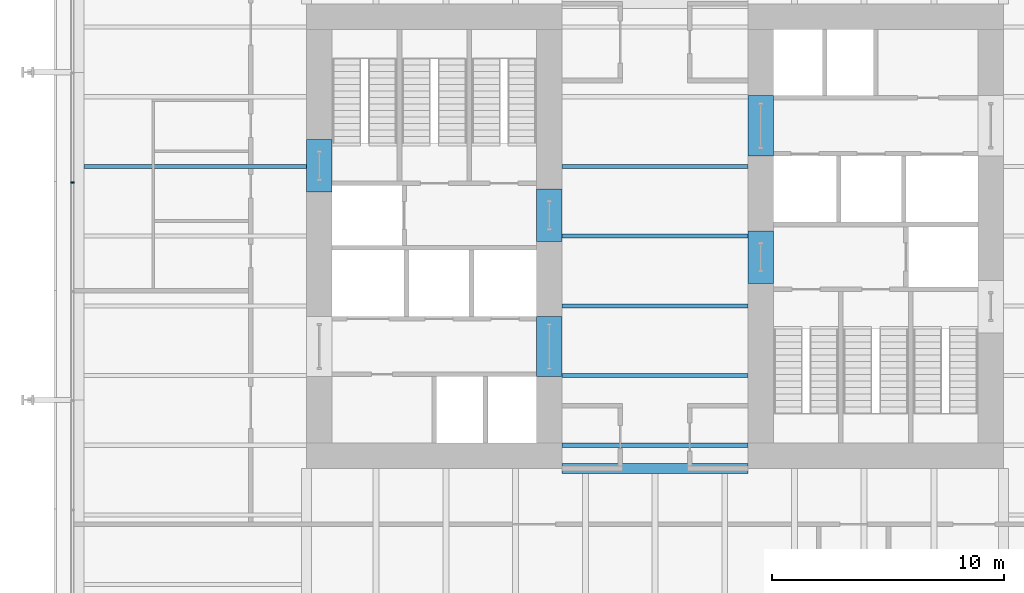
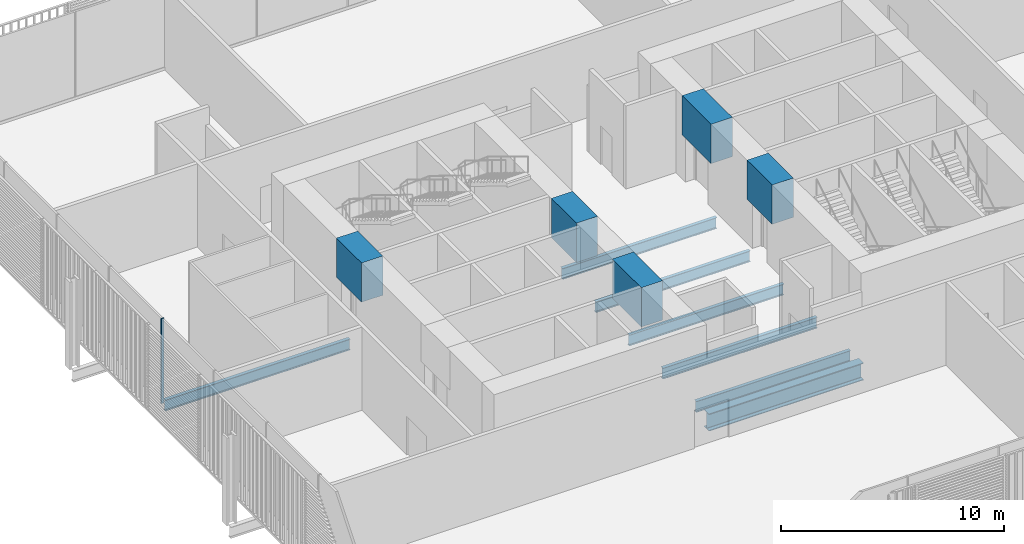
# One storey, part 7 of 22: 12 beams, 1 member, 1 element without a shape of its own.
"""IFC4 building model written with IfcOpenShell, lengths in metres."""

from ifc_helpers import new_model, si_unit, direction, frame, origin, origin_2d, place, context, subcontext, project, spatial, rectangle, i_section, extrude, material, layer, layer_set, material_profile, profile_set, type_object, element, aggregate, save


model = new_model("IFC4")

# Units and contexts
model_context = context("Model", 3, precision=1e-05, world=origin(), true_north=direction((0.0, 1.0)))
body_context = subcontext(model_context, "Body", "Model", "MODEL_VIEW")
ifc_project = project(units=[si_unit("LENGTHUNIT", "METRE"), si_unit("AREAUNIT", "SQUARE_METRE"), si_unit("VOLUMEUNIT", "CUBIC_METRE"), si_unit("PLANEANGLEUNIT", "RADIAN"), si_unit("MASSUNIT", "GRAM", prefix="KILO")], contexts=[model_context])

# Site, building, storey
site_placement = place(None, origin())
site = spatial("IfcSite", under=ifc_project, at=site_placement, CompositionType="ELEMENT")
building_placement = place(site_placement, origin())
building = spatial("IfcBuilding", under=site, at=building_placement, Name="Millrace Tower", CompositionType="ELEMENT")
storey_placement = place(building_placement, frame((0.0, 0.0, 59.300048828125)))
storey = spatial("IfcBuildingStorey", under=building, at=storey_placement, Name="L13", CompositionType="ELEMENT", Elevation=59.300048828125)

# Curtain wall, member
ifc_material_1 = material(Name="Aluminium and glass", Category="aluminium")
ifc_layer = layer(ifc_material_1, 0.14990234375)
ifc_layer_set = layer_set([ifc_layer], Name="Aluminium and glass")
curtain_wall_type = type_object("IfcCurtainWallType", Name="CW-2 data hall insulated curtain wall", PredefinedType="NOTDEFINED", material=ifc_layer_set)
curtain_wall_placement = place(storey_placement, origin())
curtain_wall = element("IfcCurtainWall", 1, at=curtain_wall_placement, inside=storey, type_object=curtain_wall_type, Name="Curtain wall A-F08 L13", PredefinedType="NOTDEFINED")
ifc_material_2 = material(Name="Aluminium", Category="aluminium")
ifc_material_profile_1 = material_profile(ifc_material_2, rectangle(XDim=0.06494140625, YDim=0.14990234375, at=origin_2d()))
ifc_profile_set_1 = profile_set([ifc_material_profile_1], Name="Aluminium")
member_type = type_object("IfcMemberType", Name="CW-2 data hall insulated curtain wall mullion", PredefinedType="MULLION", material=ifc_profile_set_1)
member_placement = place(storey_placement, frame((-25.074951171875, 2.3173828125, 0.159912109375), z_axis=(0.0, 0.0, 1.0), x_axis=(0.0, -1.0, 0.0)))
member = element("IfcMember", 2, at=member_placement, type_object=member_type, Name="CW2 mullion A-F08.5", PredefinedType="MULLION", context=body_context, shape_type="SweptSolid", body=[
    extrude(rectangle(XDim=0.06494140625, YDim=0.14990234375, at=origin_2d()), origin(), (0.0, 0.0, 1.0), 4.64013671875),
])
aggregate(curtain_wall, [member])

# Beams
ifc_material_3 = material(Name="Concrete C80", Category="concrete")
ifc_material_profile_2 = material_profile(ifc_material_3, rectangle(XDim=1.10009765625, YDim=2.14990234375, at=origin_2d()))
ifc_profile_set_2 = profile_set([ifc_material_profile_2], Name="Concrete C80")
beam_type_1 = type_object("IfcBeamType", Name="Coupling beam 1100 x 2150 Concrete C80, 1300 opening", PredefinedType="BEAM", material=ifc_profile_set_2)
for number, where, z_axis, x_axis, name in (
    (3, (-14.449951171875, 1.901123046875, 3.474853515625), (0.0, 1.0, 0.0), (-1.0, 0.0, 0.0), "Coupling beam W L13"),
    (4, (-4.550048828125, -0.228759765625, 3.474853515625), (0.0, 1.0, 0.0), (-1.0, 0.0, 0.0), "Coupling beam W L13"),
    (5, (4.550048828125, 0.228759765625, 3.474853515625), (0.0, -1.0, 0.0), (1.0, 0.0, 0.0), "Coupling beam E L13"),
):
    element("IfcBeam", number, at=place(storey_placement, frame(where, z_axis=z_axis, x_axis=x_axis)), inside=storey, type_object=beam_type_1, Name=name, PredefinedType="BEAM", context=body_context, shape_type="SweptSolid", body=[
        extrude(rectangle(XDim=1.10009765625, YDim=2.14990234375, at=origin_2d()), origin(), (0.0, 0.0, 1.0), 2.257568359375),
    ])
ifc_material_4 = material(Name="Concrete C80", Category="concrete")
ifc_material_profile_3 = material_profile(ifc_material_4, rectangle(XDim=1.10009765625, YDim=2.14990234375, at=origin_2d()))
ifc_profile_set_3 = profile_set([ifc_material_profile_3], Name="Concrete C80")
beam_type_2 = type_object("IfcBeamType", Name="Coupling beam 1100 x 2150 Concrete C80, 2000 opening", PredefinedType="BEAM", material=ifc_profile_set_3)
for number, where, z_axis, x_axis, name in (
    (6, (-4.550048828125, -6.050048828125, 3.474853515625), (0.0, 1.0, 0.0), (-1.0, 0.0, 0.0), "Coupling beam W L13"),
    (7, (4.550048828125, 6.050048828125, 3.474853515625), (0.0, -1.0, 0.0), (1.0, 0.0, 0.0), "Coupling beam E L13"),
):
    element("IfcBeam", number, at=place(storey_placement, frame(where, z_axis=z_axis, x_axis=x_axis)), inside=storey, type_object=beam_type_2, Name=name, PredefinedType="BEAM", context=body_context, shape_type="SweptSolid", body=[
        extrude(rectangle(XDim=1.10009765625, YDim=2.14990234375, at=origin_2d()), origin(), (0.0, 0.0, 1.0), 2.60009765625),
    ])
ifc_material_5 = material(Name="Steel ASTM A992 Grade 50", Category="steel")
ifc_material_profile_4 = material_profile(ifc_material_5, i_section(OverallWidth=0.177978515625, OverallDepth=0.599365234375, WebThickness=0.010009765625, FlangeThickness=0.012939453125, FilletRadius=0.012939453125, at=origin_2d()))
ifc_profile_set_4 = profile_set([ifc_material_profile_4], Name="Steel ASTM A992 Grade 50")
beam_type_3 = type_object("IfcBeamType", Name="Floor beam W24x55", PredefinedType="JOIST", material=ifc_profile_set_4)
for number, where, z_axis, x_axis, name in (
    (8, (-4.0, -9.0, -0.524658203125), (1.0, 0.0, 0.0), (0.0, 1.0, 0.0), "BM-A-L13-S1-S011"),
    (9, (-4.0, -6.0, -0.524658203125), (1.0, 0.0, 0.0), (0.0, 1.0, 0.0), "BM-A-L13-S1-S014"),
    (10, (-4.0, -3.0, -0.524658203125), (1.0, 0.0, 0.0), (0.0, 1.0, 0.0), "BM-A-L13-S1-S017"),
    (11, (-4.0, 0.0, -0.524658203125), (1.0, 0.0, 0.0), (0.0, 1.0, 0.0), "BM-A-L13-S1-S020"),
    (12, (-4.0, 3.0, -0.524658203125), (1.0, 0.0, 0.0), (0.0, 1.0, 0.0), "BM-A-L13-S1-S023"),
):
    element("IfcBeam", number, at=place(storey_placement, frame(where, z_axis=z_axis, x_axis=x_axis)), inside=storey, type_object=beam_type_3, Name=name, PredefinedType="JOIST", context=body_context, shape_type="SweptSolid", body=[
        extrude(i_section(OverallWidth=0.177978515625, OverallDepth=0.599365234375, WebThickness=0.010009765625, FlangeThickness=0.012939453125, FilletRadius=0.012939453125, at=origin_2d()), origin(), (0.0, 0.0, 1.0), 8.0),
    ])
ifc_material_6 = material(Name="Steel ASTM A992 Grade 50", Category="steel")
ifc_material_profile_5 = material_profile(ifc_material_6, i_section(OverallWidth=0.1787109375, OverallDepth=0.60205078125, WebThickness=0.010986328125, FlangeThickness=0.014892578125, FilletRadius=0.0126953125, at=origin_2d()))
ifc_profile_set_5 = profile_set([ifc_material_profile_5], Name="Steel ASTM A992 Grade 50")
beam_type_4 = type_object("IfcBeamType", Name="Floor beam W24x62", PredefinedType="JOIST", material=ifc_profile_set_5)
beam_1_placement = place(storey_placement, frame((-24.578369140625, 3.0, -0.526123046875), z_axis=(1.0, 0.0, 0.0), x_axis=(0.0, 1.0, 0.0)))
element("IfcBeam", 13, at=beam_1_placement, inside=storey, type_object=beam_type_4, Name="BM-A-L13-S1-S024", PredefinedType="JOIST", context=body_context, shape_type="SweptSolid", body=[
    extrude(i_section(OverallWidth=0.1787109375, OverallDepth=0.60205078125, WebThickness=0.010986328125, FlangeThickness=0.014892578125, FilletRadius=0.0126953125, at=origin_2d()), origin(), (0.0, 0.0, 1.0), 9.578369140625),
])
ifc_material_7 = material(Name="Steel ASTM A992 Grade 50", Category="steel")
ifc_material_profile_6 = material_profile(ifc_material_7, i_section(OverallWidth=0.424072265625, OverallDepth=0.947509765625, WebThickness=0.02392578125, FlangeThickness=0.042724609375, FilletRadius=0.024169921875, at=origin_2d()))
ifc_profile_set_6 = profile_set([ifc_material_profile_6], Name="Steel ASTM A992 Grade 50")
beam_type_5 = type_object("IfcBeamType", Name="Girder short span W36x302", PredefinedType="BEAM", material=ifc_profile_set_6)
beam_2_placement = place(storey_placement, frame((-4.0, -10.0, -0.69873046875), z_axis=(1.0, 0.0, 0.0), x_axis=(0.0, 1.0, 0.0)))
element("IfcBeam", 14, at=beam_2_placement, inside=storey, type_object=beam_type_5, Name="BM-A-L13-S1-G065", PredefinedType="BEAM", context=body_context, shape_type="SweptSolid", body=[
    extrude(i_section(OverallWidth=0.424072265625, OverallDepth=0.947509765625, WebThickness=0.02392578125, FlangeThickness=0.042724609375, FilletRadius=0.024169921875, at=origin_2d()), origin(), (0.0, 0.0, 1.0), 8.0),
])

save(model, "model.ifc")
